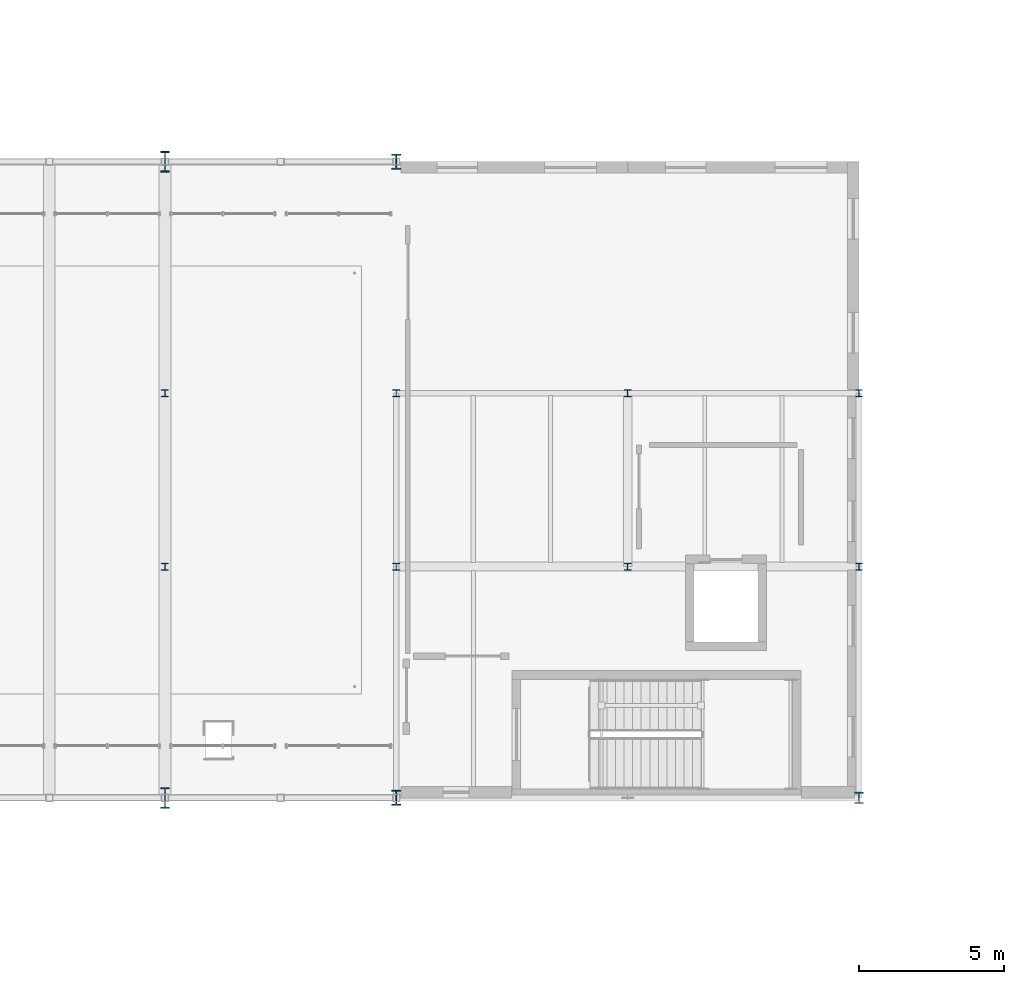
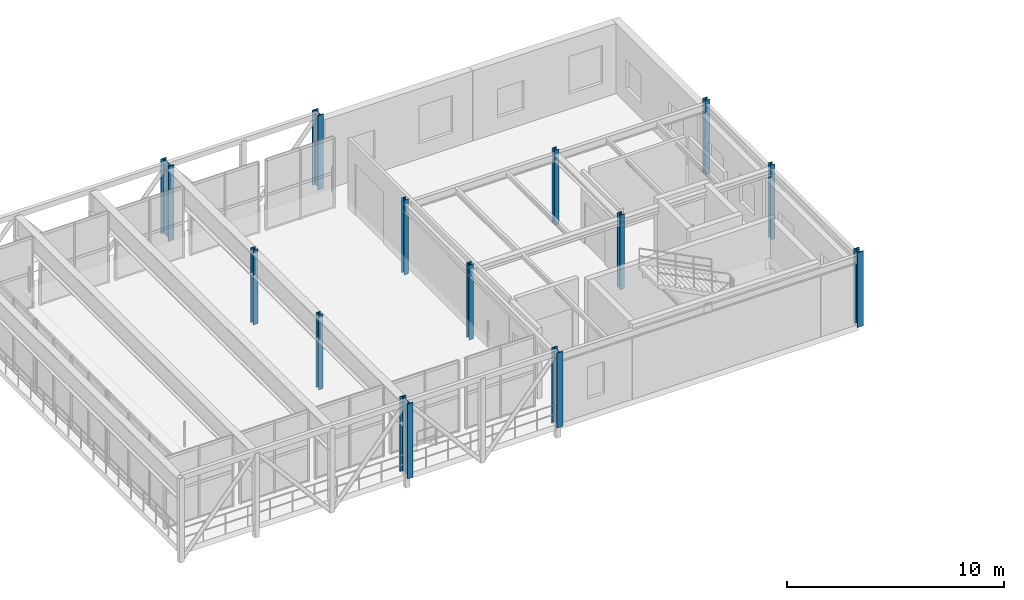
# One storey, part 1 of 124: 13 columns.
"""IFC4 building model written with IfcOpenShell, lengths in metres."""

from ifc_helpers import new_model, si_unit, direction, frame, origin, origin_2d, place, context, subcontext, project, spatial, i_section, extrude, material, material_profile, profile_set, type_object, element, save


model = new_model("IFC4")

# Units and contexts
model_context = context("Model", 3, precision=1e-05, world=origin(), true_north=direction((0.0, 1.0)))
body_context = subcontext(model_context, "Body", "Model", "MODEL_VIEW")
ifc_project = project(units=[si_unit("LENGTHUNIT", "METRE"), si_unit("AREAUNIT", "SQUARE_METRE"), si_unit("VOLUMEUNIT", "CUBIC_METRE"), si_unit("PLANEANGLEUNIT", "RADIAN"), si_unit("MASSUNIT", "GRAM", prefix="KILO")], contexts=[model_context])

# Site, building, storey
site_placement = place(None, origin())
site = spatial("IfcSite", under=ifc_project, at=site_placement, CompositionType="ELEMENT")
building_placement = place(site_placement, origin())
building = spatial("IfcBuilding", under=site, at=building_placement, Name="Sundkrona Museum", CompositionType="ELEMENT")
storey_placement = place(building_placement, frame((0.0, 0.0, 17.60009765625)))
storey = spatial("IfcBuildingStorey", under=building, at=storey_placement, Name="L03", CompositionType="ELEMENT", Elevation=17.60009765625)

# Columns
ifc_material_1 = material(Name="Steel S355J2", Category="steel")
ifc_material_profile_1 = material_profile(ifc_material_1, i_section(OverallWidth=0.239990234375, OverallDepth=0.239990234375, WebThickness=0.010009765625, FlangeThickness=0.01708984375, FilletRadius=0.02099609375, at=origin_2d()), Name="HEB 240")
ifc_profile_set_1 = profile_set([ifc_material_profile_1], Name="Steel S355J2")
column_type_1 = type_object("IfcColumnType", Name="C-HEB240", PredefinedType="COLUMN", material=ifc_profile_set_1)
for number, where, z_axis, x_axis, name in (
    (1, (16.0, 40.0, 0.0), (0.0, 0.0, 1.0), (1.0, 0.0, 0.0), "L03 Column F/3"),
    (2, (16.0, 46.0, 0.0), (0.0, 0.0, 1.0), (1.0, 0.0, 0.0), "L03 Column G/3"),
    (3, (24.0, 40.0, 0.0), (0.0, 0.0, 1.0), (1.0, 0.0, 0.0), "L03 Column F/4"),
    (4, (24.0, 46.0, 0.0), (0.0, 0.0, 1.0), (1.0, 0.0, 0.0), "L03 Column G/4"),
    (5, (32.0, 40.0, 0.0), (0.0, 0.0, 1.0), (1.0, 0.0, 0.0), "L03 Column F/5"),
    (6, (32.0, 46.0, 0.0), (0.0, 0.0, 1.0), (1.0, 0.0, 0.0), "L03 Column G/5"),
    (7, (40.0, 40.0, 0.0), (0.0, 0.0, 1.0), (1.0, 0.0, 0.0), "L03 Column F/6"),
    (8, (40.0, 46.0, 0.0), (0.0, 0.0, 1.0), (1.0, 0.0, 0.0), "L03 Column G/6"),
):
    element("IfcColumn", number, at=place(storey_placement, frame(where, z_axis=z_axis, x_axis=x_axis)), inside=storey, type_object=column_type_1, Name=name, PredefinedType="COLUMN", context=body_context, shape_type="SweptSolid", body=[
        extrude(i_section(OverallWidth=0.239990234375, OverallDepth=0.239990234375, WebThickness=0.010009765625, FlangeThickness=0.01708984375, FilletRadius=0.02099609375, at=origin_2d()), origin(), (0.0, 0.0, 1.0), 4.199951171875),
    ])
ifc_material_2 = material(Name="Steel S460M", Category="steel")
ifc_material_profile_2 = material_profile(ifc_material_2, i_section(OverallWidth=0.30810546875, OverallDepth=0.39501953125, WebThickness=0.02099609375, FlangeThickness=0.0400390625, FilletRadius=0.027099609375, at=origin_2d()), Name="HEM 360")
ifc_profile_set_2 = profile_set([ifc_material_profile_2], Name="Steel S460M")
column_type_2 = type_object("IfcColumnType", Name="C-HEM360", PredefinedType="COLUMN", material=ifc_profile_set_2)
column_placement = place(storey_placement, frame((40.0, 32.0, 0.0), z_axis=(0.0, 0.0, 1.0), x_axis=(1.0, 0.0, 0.0)))
element("IfcColumn", 9, at=column_placement, inside=storey, type_object=column_type_2, Name="L03 Column E/6", PredefinedType="COLUMN", context=body_context, shape_type="SweptSolid", body=[
    extrude(i_section(OverallWidth=0.30810546875, OverallDepth=0.39501953125, WebThickness=0.02099609375, FlangeThickness=0.0400390625, FilletRadius=0.027099609375, at=origin_2d()), origin(), (0.0, 0.0, 1.0), 4.199951171875),
])
ifc_material_profile_3 = material_profile(ifc_material_2, i_section(OverallWidth=0.305908203125, OverallDepth=0.52392578125, WebThickness=0.02099609375, FlangeThickness=0.0400390625, FilletRadius=0.027099609375, at=origin_2d()), Name="HEM 500")
ifc_profile_set_3 = profile_set([ifc_material_profile_3], Name="Steel S460M")
column_type_3 = type_object("IfcColumnType", Name="C-HEM500", PredefinedType="COLUMN", material=ifc_profile_set_3)
for number, where, z_axis, x_axis, name in (
    (10, (24.0, 32.0, 0.0), (0.0, 0.0, 1.0), (1.0, 0.0, 0.0), "L03 Column E/4"),
    (11, (24.0, 54.0, 0.0), (0.0, 0.0, 1.0), (1.0, 0.0, 0.0), "L03 Column H/4"),
):
    element("IfcColumn", number, at=place(storey_placement, frame(where, z_axis=z_axis, x_axis=x_axis)), inside=storey, type_object=column_type_3, Name=name, PredefinedType="COLUMN", context=body_context, shape_type="SweptSolid", body=[
        extrude(i_section(OverallWidth=0.305908203125, OverallDepth=0.52392578125, WebThickness=0.02099609375, FlangeThickness=0.0400390625, FilletRadius=0.027099609375, at=origin_2d()), origin(), (0.0, 0.0, 1.0), 4.199951171875),
    ])
ifc_material_profile_4 = material_profile(ifc_material_2, i_section(OverallWidth=0.303955078125, OverallDepth=0.716064453125, WebThickness=0.02099609375, FlangeThickness=0.0400390625, FilletRadius=0.027099609375, at=origin_2d()), Name="HEM 700")
ifc_profile_set_4 = profile_set([ifc_material_profile_4], Name="Steel S460M")
column_type_4 = type_object("IfcColumnType", Name="C-HEM700", PredefinedType="COLUMN", material=ifc_profile_set_4)
for number, where, z_axis, x_axis, name in (
    (12, (16.0, 32.0, 0.0), (0.0, 0.0, 1.0), (1.0, 0.0, 0.0), "L03 Column E/3"),
    (13, (16.0, 54.0, 0.0), (0.0, 0.0, 1.0), (1.0, 0.0, 0.0), "L03 Column H/3"),
):
    element("IfcColumn", number, at=place(storey_placement, frame(where, z_axis=z_axis, x_axis=x_axis)), inside=storey, type_object=column_type_4, Name=name, PredefinedType="COLUMN", context=body_context, shape_type="SweptSolid", body=[
        extrude(i_section(OverallWidth=0.303955078125, OverallDepth=0.716064453125, WebThickness=0.02099609375, FlangeThickness=0.0400390625, FilletRadius=0.027099609375, at=origin_2d()), origin(), (0.0, 0.0, 1.0), 4.199951171875),
    ])

save(model, "model.ifc")
